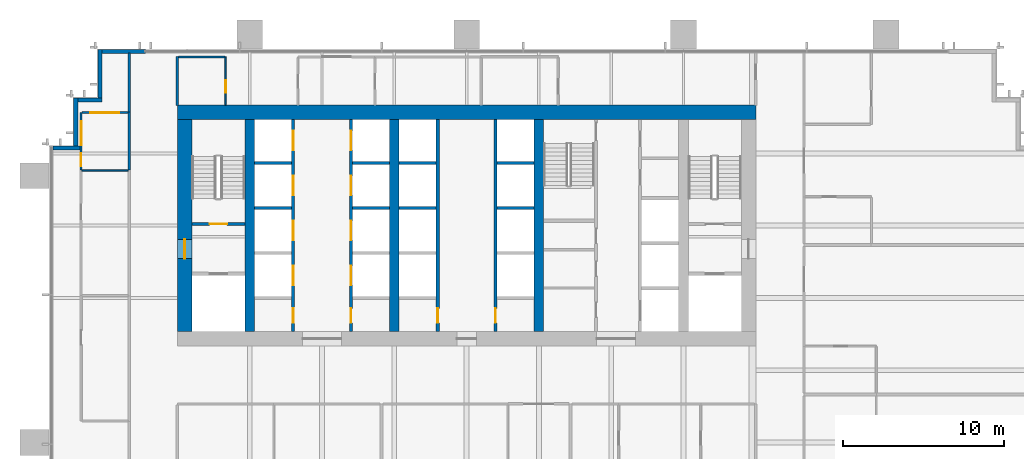
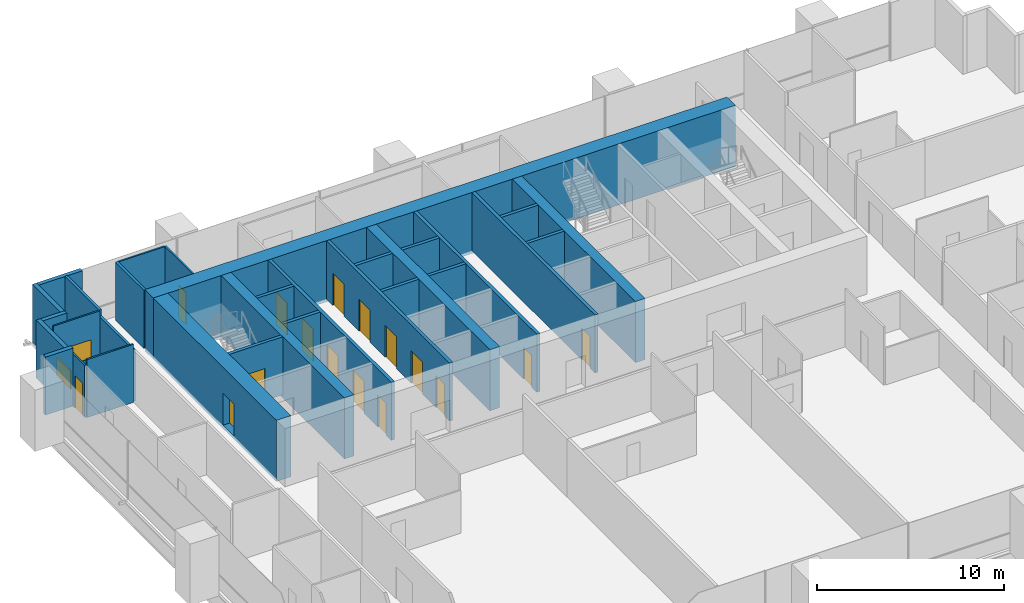
# One storey, part 14 of 17: 31 walls, 16 doors, 2 windows, 18 openings.
"""IFC4 building model written with IfcOpenShell, lengths in metres."""

import ifcopenshell
import ifcopenshell.guid

model = None  # the IFC model being written
_history = None  # IfcOwnerHistory: only IFC2X3 demands one
_inside = {}  # id of a spatial element -> (the spatial element, [elements in it])
_under = {}  # id of a project, library or spatial element -> (it, [spatial elements below it])
_declared = {}  # id of a project -> (the project, [libraries it declares])
_typed = {}  # id of a type object -> (the type object, [elements of that type])
_made_of = {}  # id of a material, layer set ... -> (it, [elements and type objects made of it])


def new_model(schema):
    """Start an empty IFC model of exactly this schema.

    Asked for "IFC4X3", IfcOpenShell would pick the latest addendum, in which some entities
    have other attributes; the version numbers below select the first issue.
    IFC2X3 requires an IfcOwnerHistory on every rooted entity: one is made here for all.
    """
    global model, _history
    if schema == "IFC4X3":
        model = ifcopenshell.file(schema_version=(4, 3, 0, 0))
    else:
        model = ifcopenshell.file(schema=schema)
    _inside.clear()
    _under.clear()
    _declared.clear()
    _typed.clear()
    _made_of.clear()
    _history = None
    if model.schema == "IFC2X3":
        org = make("IfcOrganization", Name="unknown")
        user = make(
            "IfcPersonAndOrganization",
            ThePerson=make("IfcPerson", FamilyName="unknown"),
            TheOrganization=org,
        )
        app = make(
            "IfcApplication",
            ApplicationDeveloper=org,
            Version="unknown",
            ApplicationFullName="unknown",
            ApplicationIdentifier="unknown",
        )
        _history = make(
            "IfcOwnerHistory",
            OwningUser=user,
            OwningApplication=app,
            ChangeAction="ADDED",
            CreationDate=0,
        )
    return model


def make(cls, **values):
    """One entity of the class cls with the attributes given. An attribute that is None is left unset."""
    return model.create_entity(
        cls, **{name: value for name, value in values.items() if value is not None}
    )


def rooted(cls, **values):
    """An entity with a GlobalId (a new one), such as an element, a storey or a relation."""
    return make(cls, GlobalId=ifcopenshell.guid.new(), OwnerHistory=_history, **values)


def si_unit(unit_type, name, prefix=None):
    """IfcSIUnit, for example si_unit("LENGTHUNIT", "METRE", prefix="MILLI")."""
    return make("IfcSIUnit", UnitType=unit_type, Prefix=prefix, Name=name)


def assignment(units):
    """IfcUnitAssignment: the units of a project."""
    return None if units is None else make("IfcUnitAssignment", Units=units)


def point(xyz):
    """IfcCartesianPoint."""
    return None if xyz is None else make("IfcCartesianPoint", Coordinates=xyz)


def direction(xyz):
    """IfcDirection."""
    return None if xyz is None else make("IfcDirection", DirectionRatios=xyz)


def frame(location, z_axis=None, x_axis=None):
    """IfcAxis2Placement3D, a coordinate frame: its origin and axes. An axis left out is left unset."""
    return make(
        "IfcAxis2Placement3D",
        Location=point(location),
        Axis=direction(z_axis),
        RefDirection=direction(x_axis),
    )


def frame_2d(location, x_axis=None):
    """IfcAxis2Placement2D, a coordinate frame in the plane: its origin and x axis."""
    return make(
        "IfcAxis2Placement2D", Location=point(location), RefDirection=direction(x_axis)
    )


def origin():
    """The frame at (0, 0, 0) with its axes left unset."""
    return frame((0.0, 0.0, 0.0))


def place(relative_to, where):
    """IfcLocalPlacement: puts the frame where relative to a parent placement (None: the world)."""
    return make(
        "IfcLocalPlacement", PlacementRelTo=relative_to, RelativePlacement=where
    )


def context(
    kind, dimensions, precision=None, world=None, true_north=None, identifier=None
):
    """IfcGeometricRepresentationContext, for example the 3D "Model" context."""
    return make(
        "IfcGeometricRepresentationContext",
        ContextIdentifier=identifier,
        ContextType=kind,
        CoordinateSpaceDimension=dimensions,
        Precision=precision,
        WorldCoordinateSystem=world,
        TrueNorth=true_north,
    )


def subcontext(parent, identifier, kind, view, scale=None):
    """IfcGeometricRepresentationSubContext, for example "Body" below "Model"."""
    return make(
        "IfcGeometricRepresentationSubContext",
        ContextIdentifier=identifier,
        ContextType=kind,
        ParentContext=parent,
        TargetScale=scale,
        TargetView=view,
    )


def project(units=None, contexts=None):
    """IfcProject with its units and contexts."""
    return rooted(
        "IfcProject",
        Name="project",
        RepresentationContexts=contexts,
        UnitsInContext=assignment(units),
    )


def spatial(cls, under=None, at=None, **own):
    """A site, building, storey or space (cls), placed at a placement, below another one or the project."""
    s = rooted(cls, ObjectPlacement=at, **own)
    if under is not None:
        _under.setdefault(under.id(), (under, []))[1].append(s)
    return s


def profile(cls, at=None, kind="AREA", **sizes):
    """A parametric profile (cls). Its sizes go by their IFC names, for example OverallWidth=200.0."""
    return make(cls, ProfileType=kind, Position=at, **sizes)


def rectangle(**sizes):
    """IfcRectangleProfileDef."""
    return profile("IfcRectangleProfileDef", **sizes)


def extrude(swept, where, along, depth):
    """IfcExtrudedAreaSolid: the profile swept, set in the frame where, extruded along a direction by depth."""
    return make(
        "IfcExtrudedAreaSolid",
        SweptArea=swept,
        Position=where,
        ExtrudedDirection=direction(along),
        Depth=depth,
    )


def shape(context_of_items, identifier, shape_type, items):
    """IfcShapeRepresentation: the items that make up one representation, for example the "Body"."""
    return make(
        "IfcShapeRepresentation",
        ContextOfItems=context_of_items,
        RepresentationIdentifier=identifier,
        RepresentationType=shape_type,
        Items=items,
    )


def material(Name=None, Category=None):
    """IfcMaterial."""
    return make("IfcMaterial", Name=Name, Category=Category)


def layer(
    of_material, thickness, ventilated=None, Name=None, Category=None, Priority=None
):
    """IfcMaterialLayer: one layer of a wall or slab, of a material (None: an air gap)."""
    return make(
        "IfcMaterialLayer",
        Material=of_material,
        LayerThickness=thickness,
        IsVentilated=ventilated,
        Name=Name,
        Category=Category,
        Priority=Priority,
    )


def layer_set(layers, Name=None):
    """IfcMaterialLayerSet."""
    return make("IfcMaterialLayerSet", MaterialLayers=layers, LayerSetName=Name)


def made_of(thing, what):
    """Note that an element or type object is made of a material, layer set ...; save() writes the relation."""
    if what is not None:
        _made_of.setdefault(what.id(), (what, []))[1].append(thing)
    return thing


def type_object(cls, material=None, **own):
    """A type object (cls), such as IfcWallType, which elements share."""
    return made_of(rooted(cls, **own), material)


def element(
    cls,
    number,
    at=None,
    inside=None,
    cuts=None,
    type_object=None,
    material=None,
    context=None,
    identifier="Body",
    shape_type=None,
    held_by="IfcProductDefinitionShape",
    body=None,
    shapes=None,
    **own,
):
    """One element of the class cls, such as IfcWall. Its Tag is "e" and its number.

    at: its placement. inside: the storey or other place that contains it. cuts: it is an
    opening in that element (IfcRelVoidsElement). A single representation is given by context,
    identifier, shape_type and body (its items); several are given by shapes. held_by: the class
    of the entity that holds the representations. save() writes the other relations.
    """
    e = rooted(cls, Tag="e%d" % number, ObjectPlacement=at, **own)
    if body is not None:
        shapes = [shape(context, identifier, shape_type, body)]
    if shapes is not None:
        e.Representation = make(held_by, Representations=shapes)
    if inside is not None:
        _inside.setdefault(inside.id(), (inside, []))[1].append(e)
    if cuts is not None:
        rooted(
            "IfcRelVoidsElement", RelatingBuildingElement=cuts, RelatedOpeningElement=e
        )
    if type_object is not None:
        _typed.setdefault(type_object.id(), (type_object, []))[1].append(e)
    return made_of(e, material)


def fill(opening, filler):
    """IfcRelFillsElement: the door or window that sits in an opening."""
    return rooted(
        "IfcRelFillsElement",
        RelatingOpeningElement=opening,
        RelatedBuildingElement=filler,
    )


def aggregate(whole, parts):
    """IfcRelAggregates: a whole, such as a stair, and the parts it consists of."""
    return rooted("IfcRelAggregates", RelatingObject=whole, RelatedObjects=parts)


def save(model, path):
    """Write the relations noted so far, then the file.

    IfcRelAggregates (storeys below a building ...), IfcRelContainedInSpatialStructure (elements
    in a storey), IfcRelDefinesByType, IfcRelAssociatesMaterial and IfcRelDeclares: one each for
    every whole, place, type object, material and project.
    """
    for whole, parts in _under.values():
        aggregate(whole, parts)
    for where, things in _inside.values():
        rooted(
            "IfcRelContainedInSpatialStructure",
            RelatedElements=things,
            RelatingStructure=where,
        )
    for kind, things in _typed.values():
        rooted("IfcRelDefinesByType", RelatedObjects=things, RelatingType=kind)
    for what, things in _made_of.values():
        rooted("IfcRelAssociatesMaterial", RelatedObjects=things, RelatingMaterial=what)
    for by, libraries in _declared.values():
        rooted("IfcRelDeclares", RelatingContext=by, RelatedDefinitions=libraries)
    model.write(path)


model = new_model("IFC4")

# Units and contexts
model_context = context("Model", 3, precision=1e-05, world=origin(), true_north=direction((0.0, 1.0)))
body_context = subcontext(model_context, "Body", "Model", "MODEL_VIEW")
ifc_project = project(units=[si_unit("LENGTHUNIT", "METRE"), si_unit("AREAUNIT", "SQUARE_METRE"), si_unit("VOLUMEUNIT", "CUBIC_METRE"), si_unit("PLANEANGLEUNIT", "RADIAN"), si_unit("MASSUNIT", "GRAM", prefix="KILO")], contexts=[model_context])

# Site, building, storey
site_placement = place(None, origin())
site = spatial("IfcSite", under=ifc_project, at=site_placement, CompositionType="ELEMENT")
building_placement = place(site_placement, origin())
building = spatial("IfcBuilding", under=site, at=building_placement, Name="Rattan Terrace Tower", CompositionType="ELEMENT")
storey_placement = place(building_placement, frame((0.0, 0.0, 107.699951171875)))
storey = spatial("IfcBuildingStorey", under=building, at=storey_placement, Name="L24", CompositionType="ELEMENT", Elevation=107.699951171875)

# Wall, opening, door
ifc_material_1 = material(Name="Gypsum board partition")
ifc_layer_1 = layer(ifc_material_1, 0.199951171875)
ifc_layer_set_1 = layer_set([ifc_layer_1], Name="Core partition 200")
wall_type_1 = type_object("IfcWallType", Name="Core partition 200", PredefinedType="PARTITIONING", material=ifc_layer_set_1)
wall_1_placement = place(storey_placement, frame((-17.10009765625, 0.10009765625, 0.0), z_axis=(0.0, 0.0, 1.0), x_axis=(1.0, 0.0, 0.0)))
wall_1 = element("IfcWall", 1, at=wall_1_placement, inside=storey, type_object=wall_type_1, Name="Stair enclosure wall", PredefinedType="PARTITIONING", context=body_context, shape_type="SweptSolid", body=[
    extrude(rectangle(XDim=3.300048828125, YDim=0.199951171875, at=frame_2d((1.64990234375, 0.0))), origin(), (0.0, 0.0, 1.0), 3.800048828125),
])
opening_1_placement = place(wall_1_placement, frame((1.10009765625, 0.0, 0.0)))
opening_1 = element("IfcOpeningElement", 2, at=opening_1_placement, cuts=wall_1, Name="Opening L24-D002", PredefinedType="OPENING", context=body_context, shape_type="SweptSolid", body=[
    extrude(rectangle(XDim=1.10009765625, YDim=2.10009765625, at=frame_2d((0.550048828125, 1.050048828125))), frame((0.0, 0.110595703125, 0.0), z_axis=(0.0, -1.0, 0.0), x_axis=(1.0, 0.0, 0.0)), (0.0, 0.0, 1.0), 0.220947265625),
])
ifc_material_2 = material(Name="Hollow-metal fire door leaf")
door_type_1 = type_object("IfcDoorType", Name="Core stair door 1100", OperationType="NOTDEFINED", PredefinedType="DOOR", material=ifc_material_2)
door_1_placement = place(opening_1_placement, origin())
door_1 = element("IfcDoor", 3, at=door_1_placement, inside=storey, type_object=door_type_1, Name="Door L24-D002", OperationType="SINGLE_SWING_LEFT", OverallHeight=2.10009765625, OverallWidth=1.10009765625, PredefinedType="DOOR", context=body_context, shape_type="SweptSolid", body=[
    extrude(rectangle(XDim=1.10009765625, YDim=2.10009765625, at=frame_2d((0.550048828125, 1.050048828125))), frame((0.0, 0.02490234375, 0.0), z_axis=(0.0, -1.0, 0.0), x_axis=(1.0, 0.0, 0.0)), (0.0, 0.0, 1.0), 0.050048828125),
])
fill(opening_1, door_1)

# Wall
ifc_material_3 = material(Name="Concrete C70/85", Category="concrete")
ifc_layer_2 = layer(ifc_material_3, 0.89990234375)
ifc_layer_set_2 = layer_set([ifc_layer_2], Name="Core ring wall 900 C70/85")
wall_type_2 = type_object("IfcWallType", Name="Core ring wall 900 C70/85", PredefinedType="SHEAR", material=ifc_layer_set_2)
wall_2_placement = place(storey_placement, frame((-18.0, 7.050048828125, -0.199951171875), z_axis=(0.0, 0.0, 1.0), x_axis=(1.0, 0.0, 0.0)))
element("IfcWall", 4, at=wall_2_placement, inside=storey, type_object=wall_type_2, Name="Rear core wall north", PredefinedType="SHEAR", context=body_context, shape_type="SweptSolid", body=[
    extrude(rectangle(XDim=36.0, YDim=0.89990234375, at=frame_2d((18.0, 0.0))), origin(), (0.0, 0.0, 1.0), 4.0),
])

# Wall, opening, door
wall_3_placement = place(storey_placement, frame((-17.550048828125, -6.60009765625, -0.199951171875), z_axis=(0.0, 0.0, 1.0), x_axis=(0.0, 1.0, 0.0)))
wall_3 = element("IfcWall", 5, at=wall_3_placement, inside=storey, type_object=wall_type_2, Name="Rear core wall west", PredefinedType="SHEAR", context=body_context, shape_type="SweptSolid", body=[
    extrude(rectangle(XDim=13.2001953125, YDim=0.89990234375, at=frame_2d((6.60009765625, 0.0))), origin(), (0.0, 0.0, 1.0), 4.0),
])
opening_2_placement = place(wall_3_placement, frame((4.550048828125, 0.0, 0.199951171875)))
opening_2 = element("IfcOpeningElement", 6, at=opening_2_placement, cuts=wall_3, Name="Opening L24-D001", PredefinedType="OPENING", context=body_context, shape_type="SweptSolid", body=[
    extrude(rectangle(XDim=1.199951171875, YDim=2.10009765625, at=frame_2d((0.60009765625, 1.050048828125))), frame((0.0, 0.46044921875, 0.0), z_axis=(0.0, -1.0, 0.0), x_axis=(1.0, 0.0, 0.0)), (0.0, 0.0, 1.0), 0.9208984375),
])
ifc_material_4 = material(Name="Hollow-metal fire door leaf")
door_type_2 = type_object("IfcDoorType", Name="Core fire-fighting lobby door 1200", OperationType="NOTDEFINED", PredefinedType="DOOR", material=ifc_material_4)
door_2_placement = place(opening_2_placement, origin())
door_2 = element("IfcDoor", 7, at=door_2_placement, inside=storey, type_object=door_type_2, Name="Door L24-D001", OperationType="SINGLE_SWING_RIGHT", OverallHeight=2.10009765625, OverallWidth=1.199951171875, PredefinedType="DOOR", context=body_context, shape_type="SweptSolid", body=[
    extrude(rectangle(XDim=1.199951171875, YDim=2.10009765625, at=frame_2d((0.60009765625, 1.050048828125))), frame((0.0, 0.02490234375, 0.0), z_axis=(0.0, -1.0, 0.0), x_axis=(1.0, 0.0, 0.0)), (0.0, 0.0, 1.0), 0.050048828125),
])
fill(opening_2, door_2)

# Walls
ifc_material_5 = material(Name="Concrete C70/85", Category="concrete")
ifc_layer_3 = layer(ifc_material_5, 0.60009765625)
ifc_layer_set_3 = layer_set([ifc_layer_3], Name="Core spine wall 600 C70/85")
wall_type_3 = type_object("IfcWallType", Name="Core spine wall 600 C70/85", PredefinedType="SHEAR", material=ifc_layer_set_3)
for number, where, z_axis, x_axis, name in (
    (8, (-13.5, -6.60009765625, -0.199951171875), (0.0, 0.0, 1.0), (0.0, 1.0, 0.0), "Core spine wall 1"),
    (9, (-4.5, -6.60009765625, -0.199951171875), (0.0, 0.0, 1.0), (0.0, 1.0, 0.0), "Core spine wall 2"),
    (10, (4.5, -6.60009765625, -0.199951171875), (0.0, 0.0, 1.0), (0.0, 1.0, 0.0), "Core spine wall 3"),
):
    element("IfcWall", number, at=place(storey_placement, frame(where, z_axis=z_axis, x_axis=x_axis)), inside=storey, type_object=wall_type_3, Name=name, PredefinedType="SHEAR", context=body_context, shape_type="SweptSolid", body=[
        extrude(rectangle(XDim=13.2001953125, YDim=0.60009765625, at=frame_2d((6.60009765625, 0.0))), origin(), (0.0, 0.0, 1.0), 4.0),
    ])
ifc_material_6 = material(Name="Insulated aluminium-clad stud wall", Category="aluminium")
ifc_layer_4 = layer(ifc_material_6, 0.25)
ifc_layer_set_4 = layer_set([ifc_layer_4], Name="Facade Riser Wall 250")
wall_type_4 = type_object("IfcWallType", Name="Facade Riser Wall 250", PredefinedType="SOLIDWALL", material=ifc_layer_set_4)
wall_4_placement = place(storey_placement, frame((-20.0, 10.830078125, 0.0), z_axis=(0.0, 0.0, 1.0), x_axis=(-1.0, 0.0, 0.0)))
element("IfcWall", 11, at=wall_4_placement, inside=storey, type_object=wall_type_4, Name="Riser wall L24-11", PredefinedType="SOLIDWALL", context=body_context, shape_type="SweptSolid", body=[
    extrude(rectangle(XDim=2.705078125, YDim=0.25, at=frame_2d((1.3525390625, 0.0))), origin(), (0.0, 0.0, 1.0), 3.800048828125),
])
wall_5_placement = place(storey_placement, frame((-22.830078125, 10.955078125, 0.0), z_axis=(0.0, 0.0, 1.0), x_axis=(0.0, -1.0, 0.0)))
element("IfcWall", 12, at=wall_5_placement, inside=storey, type_object=wall_type_4, Name="Riser wall L24-12", PredefinedType="SOLIDWALL", context=body_context, shape_type="SweptSolid", body=[
    extrude(rectangle(XDim=3.0, YDim=0.25, at=frame_2d((1.5, 0.0))), origin(), (0.0, 0.0, 1.0), 3.800048828125),
])
wall_6_placement = place(storey_placement, frame((-22.705078125, 7.830078125, 0.0), z_axis=(0.0, 0.0, 1.0), x_axis=(-1.0, 0.0, 0.0)))
element("IfcWall", 13, at=wall_6_placement, inside=storey, type_object=wall_type_4, Name="Riser wall L24-13", PredefinedType="SOLIDWALL", context=body_context, shape_type="SweptSolid", body=[
    extrude(rectangle(XDim=1.5, YDim=0.25, at=frame_2d((0.75, 0.0))), origin(), (0.0, 0.0, 1.0), 3.800048828125),
])
wall_7_placement = place(storey_placement, frame((-24.330078125, 7.955078125, 0.0), z_axis=(0.0, 0.0, 1.0), x_axis=(0.0, -1.0, 0.0)))
element("IfcWall", 14, at=wall_7_placement, inside=storey, type_object=wall_type_4, Name="Riser wall L24-14", PredefinedType="SOLIDWALL", context=body_context, shape_type="SweptSolid", body=[
    extrude(rectangle(XDim=3.0, YDim=0.25, at=frame_2d((1.5, 0.0))), origin(), (0.0, 0.0, 1.0), 3.800048828125),
])
wall_8_placement = place(storey_placement, frame((-24.050048828125, 4.830078125, 0.0), z_axis=(0.0, 0.0, 1.0), x_axis=(-1.0, 0.0, 0.0)))
element("IfcWall", 15, at=wall_8_placement, inside=storey, type_object=wall_type_4, Name="Riser wall L24-15", PredefinedType="SOLIDWALL", context=body_context, shape_type="SweptSolid", body=[
    extrude(rectangle(XDim=1.699951171875, YDim=0.25, at=frame_2d((0.85009765625, 0.0))), origin(), (0.0, 0.0, 1.0), 3.800048828125),
])

# Wall, openings, door, window
ifc_material_7 = material(Name="Gypsum board partition on steel studs", Category="steel")
ifc_layer_5 = layer(ifc_material_7, 0.10009765625)
ifc_layer_set_5 = layer_set([ifc_layer_5], Name="Floors Partition 100")
wall_type_5 = type_object("IfcWallType", Name="Floors Partition 100", PredefinedType="PARTITIONING", material=ifc_layer_set_5)
wall_9_placement = place(storey_placement, frame((-24.0, 7.0400390625, 0.0), z_axis=(0.0, 0.0, 1.0), x_axis=(0.0, -1.0, 0.0)))
wall_9 = element("IfcWall", 16, at=wall_9_placement, inside=storey, type_object=wall_type_5, Name="pt-L24-039", PredefinedType="PARTITIONING", context=body_context, shape_type="SweptSolid", body=[
    extrude(rectangle(XDim=3.580078125, YDim=0.10009765625, at=frame_2d((1.7900390625, 0.0))), origin(), (0.0, 0.0, 1.0), 3.400146484375),
])
opening_3_placement = place(wall_9_placement, frame((2.530029296875, 0.0, 0.0)))
opening_3 = element("IfcOpeningElement", 17, at=opening_3_placement, cuts=wall_9, Name="Opening L24-D105", PredefinedType="OPENING", context=body_context, shape_type="SweptSolid", body=[
    extrude(rectangle(XDim=0.800048828125, YDim=2.10009765625, at=frame_2d((0.39990234375, 1.050048828125))), frame((0.0, 0.060546875, 0.0), z_axis=(0.0, -1.0, 0.0), x_axis=(1.0, 0.0, 0.0)), (0.0, 0.0, 1.0), 0.12109375),
])
opening_4_placement = place(wall_9_placement, frame((0.5400390625, 0.0, 0.89990234375)))
opening_4 = element("IfcOpeningElement", 18, at=opening_4_placement, cuts=wall_9, Name="Opening L24-W100", PredefinedType="OPENING", context=body_context, shape_type="SweptSolid", body=[
    extrude(rectangle(XDim=1.5, YDim=1.199951171875, at=frame_2d((0.75, 0.60009765625))), frame((0.0, 0.060546875, 0.0), z_axis=(0.0, -1.0, 0.0), x_axis=(1.0, 0.0, 0.0)), (0.0, 0.0, 1.0), 0.12109375),
])
ifc_material_8 = material(Name="Solid core timber door, painted", Category="wood")
door_type_3 = type_object("IfcDoorType", Name="Floors Store Door 800x2100", OperationType="NOTDEFINED", PredefinedType="DOOR", material=ifc_material_8)
door_3_placement = place(opening_3_placement, origin())
door_3 = element("IfcDoor", 19, at=door_3_placement, inside=storey, type_object=door_type_3, Name="d-L24-105", OperationType="SINGLE_SWING_RIGHT", OverallHeight=2.10009765625, OverallWidth=0.800048828125, PredefinedType="DOOR", context=body_context, shape_type="SweptSolid", body=[
    extrude(rectangle(XDim=0.800048828125, YDim=2.10009765625, at=frame_2d((0.39990234375, 1.050048828125))), frame((0.0, 0.02490234375, 0.0), z_axis=(0.0, -1.0, 0.0), x_axis=(1.0, 0.0, 0.0)), (0.0, 0.0, 1.0), 0.050048828125),
])
fill(opening_3, door_3)
ifc_material_9 = material(Name="Glass, clear, fixed in aluminium frame", Category="aluminium")
window_type_1 = type_object("IfcWindowType", Name="Interior Vision Window 1500x1200", PartitioningType="SINGLE_PANEL", PredefinedType="WINDOW", material=ifc_material_9)
window_1_placement = place(opening_4_placement, origin())
window_1 = element("IfcWindow", 20, at=window_1_placement, inside=storey, type_object=window_type_1, Name="w-L24-100", OverallHeight=1.199951171875, OverallWidth=1.5, PartitioningType="SINGLE_PANEL", PredefinedType="WINDOW", context=body_context, shape_type="SweptSolid", body=[
    extrude(rectangle(XDim=1.5, YDim=1.199951171875, at=frame_2d((0.75, 0.60009765625))), frame((0.0, 0.030029296875, 0.0), z_axis=(0.0, -1.0, 0.0), x_axis=(1.0, 0.0, 0.0)), (0.0, 0.0, 1.0), 0.06005859375),
])
fill(opening_4, window_1)

# Wall, opening, window
wall_10_placement = place(storey_placement, frame((-21.074951171875, 7.0400390625, 0.0), z_axis=(0.0, 0.0, 1.0), x_axis=(-1.0, 0.0, 0.0)))
wall_10 = element("IfcWall", 21, at=wall_10_placement, inside=storey, type_object=wall_type_5, Name="pt-L24-040", PredefinedType="PARTITIONING", context=body_context, shape_type="SweptSolid", body=[
    extrude(rectangle(XDim=2.875, YDim=0.10009765625, at=frame_2d((1.4375, 0.0))), origin(), (0.0, 0.0, 1.0), 3.800048828125),
])
opening_5_placement = place(wall_10_placement, frame((0.537109375, 0.0, 0.89990234375)))
opening_5 = element("IfcOpeningElement", 22, at=opening_5_placement, cuts=wall_10, Name="Opening L24-W101", PredefinedType="OPENING", context=body_context, shape_type="SweptSolid", body=[
    extrude(rectangle(XDim=1.800048828125, YDim=1.199951171875, at=frame_2d((0.89990234375, 0.60009765625))), frame((0.0, 0.060546875, 0.0), z_axis=(0.0, -1.0, 0.0), x_axis=(1.0, 0.0, 0.0)), (0.0, 0.0, 1.0), 0.12109375),
])
ifc_material_10 = material(Name="Glass, clear, fixed in aluminium frame", Category="aluminium")
window_type_2 = type_object("IfcWindowType", Name="Interior Vision Window 1800x1200", PartitioningType="SINGLE_PANEL", PredefinedType="WINDOW", material=ifc_material_10)
window_2_placement = place(opening_5_placement, origin())
window_2 = element("IfcWindow", 23, at=window_2_placement, inside=storey, type_object=window_type_2, Name="w-L24-101", OverallHeight=1.199951171875, OverallWidth=1.800048828125, PartitioningType="SINGLE_PANEL", PredefinedType="WINDOW", context=body_context, shape_type="SweptSolid", body=[
    extrude(rectangle(XDim=1.800048828125, YDim=1.199951171875, at=frame_2d((0.89990234375, 0.60009765625))), frame((0.0, 0.030029296875, 0.0), z_axis=(0.0, -1.0, 0.0), x_axis=(1.0, 0.0, 0.0)), (0.0, 0.0, 1.0), 0.06005859375),
])
fill(opening_5, window_2)

# Walls
for number, where, z_axis, x_axis, name in (
    (24, (-23.949951171875, 3.43994140625, 0.0), (0.0, 0.0, 1.0), (1.0, 0.0, 0.0), "pt-L24-043"),
    (25, (-15.050048828125, 10.5, 0.0), (0.0, 0.0, 1.0), (-1.0, 0.0, 0.0), "pt-L24-062"),
):
    element("IfcWall", number, at=place(storey_placement, frame(where, z_axis=z_axis, x_axis=x_axis)), inside=storey, type_object=wall_type_5, Name=name, PredefinedType="PARTITIONING", context=body_context, shape_type="SweptSolid", body=[
        extrude(rectangle(XDim=2.875, YDim=0.10009765625, at=frame_2d((1.4375, 0.0))), origin(), (0.0, 0.0, 1.0), 3.800048828125),
    ])

# Wall, opening, door
wall_11_placement = place(storey_placement, frame((-15.0, 7.5, 0.0), z_axis=(0.0, 0.0, 1.0), x_axis=(0.0, 1.0, 0.0)))
wall_11 = element("IfcWall", 26, at=wall_11_placement, inside=storey, type_object=wall_type_5, Name="pt-L24-063", PredefinedType="PARTITIONING", context=body_context, shape_type="SweptSolid", body=[
    extrude(rectangle(XDim=3.0, YDim=0.10009765625, at=frame_2d((1.5, 0.0))), origin(), (0.0, 0.0, 1.0), 3.800048828125),
])
opening_6_placement = place(wall_11_placement, frame((0.760009765625, 0.0, 0.0)))
opening_6 = element("IfcOpeningElement", 27, at=opening_6_placement, cuts=wall_11, Name="Opening L24-D117", PredefinedType="OPENING", context=body_context, shape_type="SweptSolid", body=[
    extrude(rectangle(XDim=0.800048828125, YDim=2.10009765625, at=frame_2d((0.39990234375, 1.050048828125))), frame((0.0, 0.060546875, 0.0), z_axis=(0.0, -1.0, 0.0), x_axis=(1.0, 0.0, 0.0)), (0.0, 0.0, 1.0), 0.12109375),
])
door_4_placement = place(opening_6_placement, origin())
door_4 = element("IfcDoor", 28, at=door_4_placement, inside=storey, type_object=door_type_3, Name="d-L24-117", OperationType="SINGLE_SWING_LEFT", OverallHeight=2.10009765625, OverallWidth=0.800048828125, PredefinedType="DOOR", context=body_context, shape_type="SweptSolid", body=[
    extrude(rectangle(XDim=0.800048828125, YDim=2.10009765625, at=frame_2d((0.39990234375, 1.050048828125))), frame((0.0, 0.02490234375, 0.0), z_axis=(0.0, -1.0, 0.0), x_axis=(1.0, 0.0, 0.0)), (0.0, 0.0, 1.0), 0.050048828125),
])
fill(opening_6, door_4)

# Walls
ifc_material_11 = material(Name="Gypsum board partition on steel studs, fire rated", Category="steel")
ifc_layer_6 = layer(ifc_material_11, 0.14990234375)
ifc_layer_set_6 = layer_set([ifc_layer_6], Name="Floors Tenancy Wall 150")
wall_type_6 = type_object("IfcWallType", Name="Floors Tenancy Wall 150", PredefinedType="PARTITIONING", material=ifc_layer_set_6)
wall_12_placement = place(storey_placement, frame((-21.0, 7.06005859375, 0.0), z_axis=(0.0, 0.0, 1.0), x_axis=(0.0, 1.0, 0.0)))
element("IfcWall", 29, at=wall_12_placement, inside=storey, type_object=wall_type_6, Name="pt-L24-001", PredefinedType="PARTITIONING", context=body_context, shape_type="SweptSolid", body=[
    extrude(rectangle(XDim=3.679931640625, YDim=0.14990234375, at=frame_2d((1.83984375, 0.0))), origin(), (0.0, 0.0, 1.0), 3.800048828125),
])
wall_13_placement = place(storey_placement, frame((-21.0, 3.4599609375, 0.0), z_axis=(0.0, 0.0, 1.0), x_axis=(0.0, 1.0, 0.0)))
element("IfcWall", 30, at=wall_13_placement, inside=storey, type_object=wall_type_6, Name="pt-L24-008", PredefinedType="PARTITIONING", context=body_context, shape_type="SweptSolid", body=[
    extrude(rectangle(XDim=3.60009765625, YDim=0.14990234375, at=frame_2d((1.800048828125, 0.0))), origin(), (0.0, 0.0, 1.0), 3.400146484375),
])
wall_14_placement = place(storey_placement, frame((-18.0, 10.52001953125, 0.0), z_axis=(0.0, 0.0, 1.0), x_axis=(0.0, -1.0, 0.0)))
element("IfcWall", 31, at=wall_14_placement, inside=storey, type_object=wall_type_6, Name="pt-L24-020", PredefinedType="PARTITIONING", context=body_context, shape_type="SweptSolid", body=[
    extrude(rectangle(XDim=3.0400390625, YDim=0.14990234375, at=frame_2d((1.52001953125, 0.0))), origin(), (0.0, 0.0, 1.0), 3.800048828125),
])

# Wall, openings, doors
ifc_material_12 = material(Name="Gypsum shaft wall system")
ifc_layer_7 = layer(ifc_material_12, 0.199951171875)
ifc_layer_set_7 = layer_set([ifc_layer_7], Name="Lift shaft wall 200")
wall_type_7 = type_object("IfcWallType", Name="Lift shaft wall 200", PredefinedType="PARTITIONING", material=ifc_layer_set_7)
wall_15_placement = place(storey_placement, frame((-10.800048828125, -6.60009765625, 0.0), z_axis=(0.0, 0.0, 1.0), x_axis=(0.0, 1.0, 0.0)))
wall_15 = element("IfcWall", 32, at=wall_15_placement, inside=storey, type_object=wall_type_7, Name="Lift shaft front wall", PredefinedType="PARTITIONING", context=body_context, shape_type="SweptSolid", body=[
    extrude(rectangle(XDim=13.2001953125, YDim=0.199951171875, at=frame_2d((6.60009765625, 0.0))), origin(), (0.0, 0.0, 1.0), 3.800048828125),
])
opening_7_placement = place(wall_15_placement, frame((0.550048828125, 0.0, 0.0)))
opening_7 = element("IfcOpeningElement", 33, at=opening_7_placement, cuts=wall_15, Name="Opening L24-D005", PredefinedType="OPENING", context=body_context, shape_type="SweptSolid", body=[
    extrude(rectangle(XDim=0.89990234375, YDim=2.10009765625, at=frame_2d((0.449951171875, 1.050048828125))), frame((0.0, 0.110595703125, 0.0), z_axis=(0.0, -1.0, 0.0), x_axis=(1.0, 0.0, 0.0)), (0.0, 0.0, 1.0), 0.220947265625),
])
opening_8_placement = place(wall_15_placement, frame((2.89990234375, 0.0, 0.0)))
opening_8 = element("IfcOpeningElement", 34, at=opening_8_placement, cuts=wall_15, Name="Opening L24-LD-LR1", PredefinedType="OPENING", context=body_context, shape_type="SweptSolid", body=[
    extrude(rectangle(XDim=1.199951171875, YDim=2.10009765625, at=frame_2d((0.60009765625, 1.050048828125))), frame((0.0, 0.110595703125, 0.0), z_axis=(0.0, -1.0, 0.0), x_axis=(1.0, 0.0, 0.0)), (0.0, 0.0, 1.0), 0.220947265625),
])
opening_9_placement = place(wall_15_placement, frame((5.699951171875, 0.0, 0.0)))
opening_9 = element("IfcOpeningElement", 35, at=opening_9_placement, cuts=wall_15, Name="Opening L24-LD-LR2", PredefinedType="OPENING", context=body_context, shape_type="SweptSolid", body=[
    extrude(rectangle(XDim=1.199951171875, YDim=2.10009765625, at=frame_2d((0.60009765625, 1.050048828125))), frame((0.0, 0.110595703125, 0.0), z_axis=(0.0, -1.0, 0.0), x_axis=(1.0, 0.0, 0.0)), (0.0, 0.0, 1.0), 0.220947265625),
])
opening_10_placement = place(wall_15_placement, frame((8.5, 0.0, 0.0)))
opening_10 = element("IfcOpeningElement", 36, at=opening_10_placement, cuts=wall_15, Name="Opening L24-LD-LR3", PredefinedType="OPENING", context=body_context, shape_type="SweptSolid", body=[
    extrude(rectangle(XDim=1.199951171875, YDim=2.10009765625, at=frame_2d((0.60009765625, 1.050048828125))), frame((0.0, 0.110595703125, 0.0), z_axis=(0.0, -1.0, 0.0), x_axis=(1.0, 0.0, 0.0)), (0.0, 0.0, 1.0), 0.220947265625),
])
opening_11_placement = place(wall_15_placement, frame((11.300048828125, 0.0, 0.0)))
opening_11 = element("IfcOpeningElement", 37, at=opening_11_placement, cuts=wall_15, Name="Opening L24-LD-LR4", PredefinedType="OPENING", context=body_context, shape_type="SweptSolid", body=[
    extrude(rectangle(XDim=1.199951171875, YDim=2.10009765625, at=frame_2d((0.60009765625, 1.050048828125))), frame((0.0, 0.110595703125, 0.0), z_axis=(0.0, -1.0, 0.0), x_axis=(1.0, 0.0, 0.0)), (0.0, 0.0, 1.0), 0.220947265625),
])
ifc_material_13 = material(Name="Brushed stainless landing door panel")
door_type_4 = type_object("IfcDoorType", Name="Core lift landing door 1200", OperationType="DOUBLE_DOOR_SLIDING", PredefinedType="DOOR", material=ifc_material_13)
door_5_placement = place(opening_8_placement, origin())
door_5 = element("IfcDoor", 38, at=door_5_placement, inside=storey, type_object=door_type_4, Name="Door L24-LD-LR1", OperationType="DOUBLE_DOOR_SLIDING", OverallHeight=2.10009765625, OverallWidth=1.199951171875, PredefinedType="DOOR", context=body_context, shape_type="SweptSolid", body=[
    extrude(rectangle(XDim=1.199951171875, YDim=2.10009765625, at=frame_2d((0.60009765625, 1.050048828125))), frame((0.0, 0.02490234375, 0.0), z_axis=(0.0, -1.0, 0.0), x_axis=(1.0, 0.0, 0.0)), (0.0, 0.0, 1.0), 0.050048828125),
])
fill(opening_8, door_5)
door_6_placement = place(opening_9_placement, origin())
door_6 = element("IfcDoor", 39, at=door_6_placement, inside=storey, type_object=door_type_4, Name="Door L24-LD-LR2", OperationType="DOUBLE_DOOR_SLIDING", OverallHeight=2.10009765625, OverallWidth=1.199951171875, PredefinedType="DOOR", context=body_context, shape_type="SweptSolid", body=[
    extrude(rectangle(XDim=1.199951171875, YDim=2.10009765625, at=frame_2d((0.60009765625, 1.050048828125))), frame((0.0, 0.02490234375, 0.0), z_axis=(0.0, -1.0, 0.0), x_axis=(1.0, 0.0, 0.0)), (0.0, 0.0, 1.0), 0.050048828125),
])
fill(opening_9, door_6)
door_7_placement = place(opening_10_placement, origin())
door_7 = element("IfcDoor", 40, at=door_7_placement, inside=storey, type_object=door_type_4, Name="Door L24-LD-LR3", OperationType="DOUBLE_DOOR_SLIDING", OverallHeight=2.10009765625, OverallWidth=1.199951171875, PredefinedType="DOOR", context=body_context, shape_type="SweptSolid", body=[
    extrude(rectangle(XDim=1.199951171875, YDim=2.10009765625, at=frame_2d((0.60009765625, 1.050048828125))), frame((0.0, 0.02490234375, 0.0), z_axis=(0.0, -1.0, 0.0), x_axis=(1.0, 0.0, 0.0)), (0.0, 0.0, 1.0), 0.050048828125),
])
fill(opening_10, door_7)
door_8_placement = place(opening_11_placement, origin())
door_8 = element("IfcDoor", 41, at=door_8_placement, inside=storey, type_object=door_type_4, Name="Door L24-LD-LR4", OperationType="DOUBLE_DOOR_SLIDING", OverallHeight=2.10009765625, OverallWidth=1.199951171875, PredefinedType="DOOR", context=body_context, shape_type="SweptSolid", body=[
    extrude(rectangle(XDim=1.199951171875, YDim=2.10009765625, at=frame_2d((0.60009765625, 1.050048828125))), frame((0.0, 0.02490234375, 0.0), z_axis=(0.0, -1.0, 0.0), x_axis=(1.0, 0.0, 0.0)), (0.0, 0.0, 1.0), 0.050048828125),
])
fill(opening_11, door_8)
ifc_material_14 = material(Name="Hollow-metal fire door leaf")
door_type_5 = type_object("IfcDoorType", Name="Core riser door 900", OperationType="NOTDEFINED", PredefinedType="DOOR", material=ifc_material_14)
door_9_placement = place(opening_7_placement, origin())
door_9 = element("IfcDoor", 42, at=door_9_placement, inside=storey, type_object=door_type_5, Name="Door L24-D005", OperationType="SINGLE_SWING_RIGHT", OverallHeight=2.10009765625, OverallWidth=0.89990234375, PredefinedType="DOOR", context=body_context, shape_type="SweptSolid", body=[
    extrude(rectangle(XDim=0.89990234375, YDim=2.10009765625, at=frame_2d((0.449951171875, 1.050048828125))), frame((0.0, 0.02490234375, 0.0), z_axis=(0.0, -1.0, 0.0), x_axis=(1.0, 0.0, 0.0)), (0.0, 0.0, 1.0), 0.050048828125),
])
fill(opening_7, door_9)

wall_16_placement = place(storey_placement, frame((-7.199951171875, -6.60009765625, 0.0), z_axis=(0.0, 0.0, 1.0), x_axis=(0.0, 1.0, 0.0)))
wall_16 = element("IfcWall", 43, at=wall_16_placement, inside=storey, type_object=wall_type_7, Name="Lift shaft front wall", PredefinedType="PARTITIONING", context=body_context, shape_type="SweptSolid", body=[
    extrude(rectangle(XDim=13.2001953125, YDim=0.199951171875, at=frame_2d((6.60009765625, 0.0))), origin(), (0.0, 0.0, 1.0), 3.800048828125),
])
opening_12_placement = place(wall_16_placement, frame((0.550048828125, 0.0, 0.0)))
opening_12 = element("IfcOpeningElement", 44, at=opening_12_placement, cuts=wall_16, Name="Opening L24-D006", PredefinedType="OPENING", context=body_context, shape_type="SweptSolid", body=[
    extrude(rectangle(XDim=0.89990234375, YDim=2.10009765625, at=frame_2d((0.449951171875, 1.050048828125))), frame((0.0, 0.110595703125, 0.0), z_axis=(0.0, -1.0, 0.0), x_axis=(1.0, 0.0, 0.0)), (0.0, 0.0, 1.0), 0.220947265625),
])
opening_13_placement = place(wall_16_placement, frame((2.89990234375, 0.0, 0.0)))
opening_13 = element("IfcOpeningElement", 45, at=opening_13_placement, cuts=wall_16, Name="Opening L24-LD-LR5", PredefinedType="OPENING", context=body_context, shape_type="SweptSolid", body=[
    extrude(rectangle(XDim=1.199951171875, YDim=2.10009765625, at=frame_2d((0.60009765625, 1.050048828125))), frame((0.0, 0.110595703125, 0.0), z_axis=(0.0, -1.0, 0.0), x_axis=(1.0, 0.0, 0.0)), (0.0, 0.0, 1.0), 0.220947265625),
])
opening_14_placement = place(wall_16_placement, frame((5.699951171875, 0.0, 0.0)))
opening_14 = element("IfcOpeningElement", 46, at=opening_14_placement, cuts=wall_16, Name="Opening L24-LD-LR6", PredefinedType="OPENING", context=body_context, shape_type="SweptSolid", body=[
    extrude(rectangle(XDim=1.199951171875, YDim=2.10009765625, at=frame_2d((0.60009765625, 1.050048828125))), frame((0.0, 0.110595703125, 0.0), z_axis=(0.0, -1.0, 0.0), x_axis=(1.0, 0.0, 0.0)), (0.0, 0.0, 1.0), 0.220947265625),
])
opening_15_placement = place(wall_16_placement, frame((8.5, 0.0, 0.0)))
opening_15 = element("IfcOpeningElement", 47, at=opening_15_placement, cuts=wall_16, Name="Opening L24-LD-LR7", PredefinedType="OPENING", context=body_context, shape_type="SweptSolid", body=[
    extrude(rectangle(XDim=1.199951171875, YDim=2.10009765625, at=frame_2d((0.60009765625, 1.050048828125))), frame((0.0, 0.110595703125, 0.0), z_axis=(0.0, -1.0, 0.0), x_axis=(1.0, 0.0, 0.0)), (0.0, 0.0, 1.0), 0.220947265625),
])
opening_16_placement = place(wall_16_placement, frame((11.300048828125, 0.0, 0.0)))
opening_16 = element("IfcOpeningElement", 48, at=opening_16_placement, cuts=wall_16, Name="Opening L24-LD-LR8", PredefinedType="OPENING", context=body_context, shape_type="SweptSolid", body=[
    extrude(rectangle(XDim=1.199951171875, YDim=2.10009765625, at=frame_2d((0.60009765625, 1.050048828125))), frame((0.0, 0.110595703125, 0.0), z_axis=(0.0, -1.0, 0.0), x_axis=(1.0, 0.0, 0.0)), (0.0, 0.0, 1.0), 0.220947265625),
])
door_10_placement = place(opening_13_placement, origin())
door_10 = element("IfcDoor", 49, at=door_10_placement, inside=storey, type_object=door_type_4, Name="Door L24-LD-LR5", OperationType="DOUBLE_DOOR_SLIDING", OverallHeight=2.10009765625, OverallWidth=1.199951171875, PredefinedType="DOOR", context=body_context, shape_type="SweptSolid", body=[
    extrude(rectangle(XDim=1.199951171875, YDim=2.10009765625, at=frame_2d((0.60009765625, 1.050048828125))), frame((0.0, 0.02490234375, 0.0), z_axis=(0.0, -1.0, 0.0), x_axis=(1.0, 0.0, 0.0)), (0.0, 0.0, 1.0), 0.050048828125),
])
fill(opening_13, door_10)
door_11_placement = place(opening_14_placement, origin())
door_11 = element("IfcDoor", 50, at=door_11_placement, inside=storey, type_object=door_type_4, Name="Door L24-LD-LR6", OperationType="DOUBLE_DOOR_SLIDING", OverallHeight=2.10009765625, OverallWidth=1.199951171875, PredefinedType="DOOR", context=body_context, shape_type="SweptSolid", body=[
    extrude(rectangle(XDim=1.199951171875, YDim=2.10009765625, at=frame_2d((0.60009765625, 1.050048828125))), frame((0.0, 0.02490234375, 0.0), z_axis=(0.0, -1.0, 0.0), x_axis=(1.0, 0.0, 0.0)), (0.0, 0.0, 1.0), 0.050048828125),
])
fill(opening_14, door_11)
door_12_placement = place(opening_15_placement, origin())
door_12 = element("IfcDoor", 51, at=door_12_placement, inside=storey, type_object=door_type_4, Name="Door L24-LD-LR7", OperationType="DOUBLE_DOOR_SLIDING", OverallHeight=2.10009765625, OverallWidth=1.199951171875, PredefinedType="DOOR", context=body_context, shape_type="SweptSolid", body=[
    extrude(rectangle(XDim=1.199951171875, YDim=2.10009765625, at=frame_2d((0.60009765625, 1.050048828125))), frame((0.0, 0.02490234375, 0.0), z_axis=(0.0, -1.0, 0.0), x_axis=(1.0, 0.0, 0.0)), (0.0, 0.0, 1.0), 0.050048828125),
])
fill(opening_15, door_12)
door_13_placement = place(opening_16_placement, origin())
door_13 = element("IfcDoor", 52, at=door_13_placement, inside=storey, type_object=door_type_4, Name="Door L24-LD-LR8", OperationType="DOUBLE_DOOR_SLIDING", OverallHeight=2.10009765625, OverallWidth=1.199951171875, PredefinedType="DOOR", context=body_context, shape_type="SweptSolid", body=[
    extrude(rectangle(XDim=1.199951171875, YDim=2.10009765625, at=frame_2d((0.60009765625, 1.050048828125))), frame((0.0, 0.02490234375, 0.0), z_axis=(0.0, -1.0, 0.0), x_axis=(1.0, 0.0, 0.0)), (0.0, 0.0, 1.0), 0.050048828125),
])
fill(opening_16, door_13)
door_14_placement = place(opening_12_placement, origin())
door_14 = element("IfcDoor", 53, at=door_14_placement, inside=storey, type_object=door_type_5, Name="Door L24-D006", OperationType="SINGLE_SWING_LEFT", OverallHeight=2.10009765625, OverallWidth=0.89990234375, PredefinedType="DOOR", context=body_context, shape_type="SweptSolid", body=[
    extrude(rectangle(XDim=0.89990234375, YDim=2.10009765625, at=frame_2d((0.449951171875, 1.050048828125))), frame((0.0, 0.02490234375, 0.0), z_axis=(0.0, -1.0, 0.0), x_axis=(1.0, 0.0, 0.0)), (0.0, 0.0, 1.0), 0.050048828125),
])
fill(opening_12, door_14)

# Walls
for number, where, z_axis, x_axis, name in (
    (54, (-13.199951171875, 1.10009765625, 0.0), (0.0, 0.0, 1.0), (1.0, 0.0, 0.0), "Lift shaft wall"),
    (55, (-13.199951171875, 3.89990234375, 0.0), (0.0, 0.0, 1.0), (1.0, 0.0, 0.0), "Lift shaft wall"),
    (56, (-7.10009765625, 1.10009765625, 0.0), (0.0, 0.0, 1.0), (1.0, 0.0, 0.0), "Lift shaft wall"),
    (57, (-7.10009765625, 3.89990234375, 0.0), (0.0, 0.0, 1.0), (1.0, 0.0, 0.0), "Lift shaft wall"),
):
    element("IfcWall", number, at=place(storey_placement, frame(where, z_axis=z_axis, x_axis=x_axis)), inside=storey, type_object=wall_type_7, Name=name, PredefinedType="PARTITIONING", context=body_context, shape_type="SweptSolid", body=[
        extrude(rectangle(XDim=2.300048828125, YDim=0.199951171875, at=frame_2d((1.14990234375, 0.0))), origin(), (0.0, 0.0, 1.0), 3.800048828125),
    ])

# Wall, opening, door
wall_17_placement = place(storey_placement, frame((-1.800048828125, -6.60009765625, 0.0), z_axis=(0.0, 0.0, 1.0), x_axis=(0.0, 1.0, 0.0)))
wall_17 = element("IfcWall", 58, at=wall_17_placement, inside=storey, type_object=wall_type_7, Name="Lift shaft front wall", PredefinedType="PARTITIONING", context=body_context, shape_type="SweptSolid", body=[
    extrude(rectangle(XDim=13.2001953125, YDim=0.199951171875, at=frame_2d((6.60009765625, 0.0))), origin(), (0.0, 0.0, 1.0), 3.800048828125),
])
opening_17_placement = place(wall_17_placement, frame((0.550048828125, 0.0, 0.0)))
opening_17 = element("IfcOpeningElement", 59, at=opening_17_placement, cuts=wall_17, Name="Opening L24-D008", PredefinedType="OPENING", context=body_context, shape_type="SweptSolid", body=[
    extrude(rectangle(XDim=0.89990234375, YDim=2.10009765625, at=frame_2d((0.449951171875, 1.050048828125))), frame((0.0, 0.110595703125, 0.0), z_axis=(0.0, -1.0, 0.0), x_axis=(1.0, 0.0, 0.0)), (0.0, 0.0, 1.0), 0.220947265625),
])
door_15_placement = place(opening_17_placement, origin())
door_15 = element("IfcDoor", 60, at=door_15_placement, inside=storey, type_object=door_type_5, Name="Door L24-D008", OperationType="SINGLE_SWING_RIGHT", OverallHeight=2.10009765625, OverallWidth=0.89990234375, PredefinedType="DOOR", context=body_context, shape_type="SweptSolid", body=[
    extrude(rectangle(XDim=0.89990234375, YDim=2.10009765625, at=frame_2d((0.449951171875, 1.050048828125))), frame((0.0, 0.02490234375, 0.0), z_axis=(0.0, -1.0, 0.0), x_axis=(1.0, 0.0, 0.0)), (0.0, 0.0, 1.0), 0.050048828125),
])
fill(opening_17, door_15)

wall_18_placement = place(storey_placement, frame((1.800048828125, -6.60009765625, 0.0), z_axis=(0.0, 0.0, 1.0), x_axis=(0.0, 1.0, 0.0)))
wall_18 = element("IfcWall", 61, at=wall_18_placement, inside=storey, type_object=wall_type_7, Name="Lift shaft front wall", PredefinedType="PARTITIONING", context=body_context, shape_type="SweptSolid", body=[
    extrude(rectangle(XDim=13.2001953125, YDim=0.199951171875, at=frame_2d((6.60009765625, 0.0))), origin(), (0.0, 0.0, 1.0), 3.800048828125),
])
opening_18_placement = place(wall_18_placement, frame((0.550048828125, 0.0, 0.0)))
opening_18 = element("IfcOpeningElement", 62, at=opening_18_placement, cuts=wall_18, Name="Opening L24-D009", PredefinedType="OPENING", context=body_context, shape_type="SweptSolid", body=[
    extrude(rectangle(XDim=0.89990234375, YDim=2.10009765625, at=frame_2d((0.449951171875, 1.050048828125))), frame((0.0, 0.110595703125, 0.0), z_axis=(0.0, -1.0, 0.0), x_axis=(1.0, 0.0, 0.0)), (0.0, 0.0, 1.0), 0.220947265625),
])
door_16_placement = place(opening_18_placement, origin())
door_16 = element("IfcDoor", 63, at=door_16_placement, inside=storey, type_object=door_type_5, Name="Door L24-D009", OperationType="SINGLE_SWING_LEFT", OverallHeight=2.10009765625, OverallWidth=0.89990234375, PredefinedType="DOOR", context=body_context, shape_type="SweptSolid", body=[
    extrude(rectangle(XDim=0.89990234375, YDim=2.10009765625, at=frame_2d((0.449951171875, 1.050048828125))), frame((0.0, 0.02490234375, 0.0), z_axis=(0.0, -1.0, 0.0), x_axis=(1.0, 0.0, 0.0)), (0.0, 0.0, 1.0), 0.050048828125),
])
fill(opening_18, door_16)

# Walls
for number, where, z_axis, x_axis, name in (
    (64, (-4.199951171875, 1.10009765625, 0.0), (0.0, 0.0, 1.0), (1.0, 0.0, 0.0), "Lift shaft wall"),
    (65, (-4.199951171875, 3.89990234375, 0.0), (0.0, 0.0, 1.0), (1.0, 0.0, 0.0), "Lift shaft wall"),
    (66, (1.89990234375, 1.10009765625, 0.0), (0.0, 0.0, 1.0), (1.0, 0.0, 0.0), "Lift shaft wall"),
    (67, (1.89990234375, 3.89990234375, 0.0), (0.0, 0.0, 1.0), (1.0, 0.0, 0.0), "Lift shaft wall"),
):
    element("IfcWall", number, at=place(storey_placement, frame(where, z_axis=z_axis, x_axis=x_axis)), inside=storey, type_object=wall_type_7, Name=name, PredefinedType="PARTITIONING", context=body_context, shape_type="SweptSolid", body=[
        extrude(rectangle(XDim=2.300048828125, YDim=0.199951171875, at=frame_2d((1.14990234375, 0.0))), origin(), (0.0, 0.0, 1.0), 3.800048828125),
    ])

save(model, "model.ifc")
